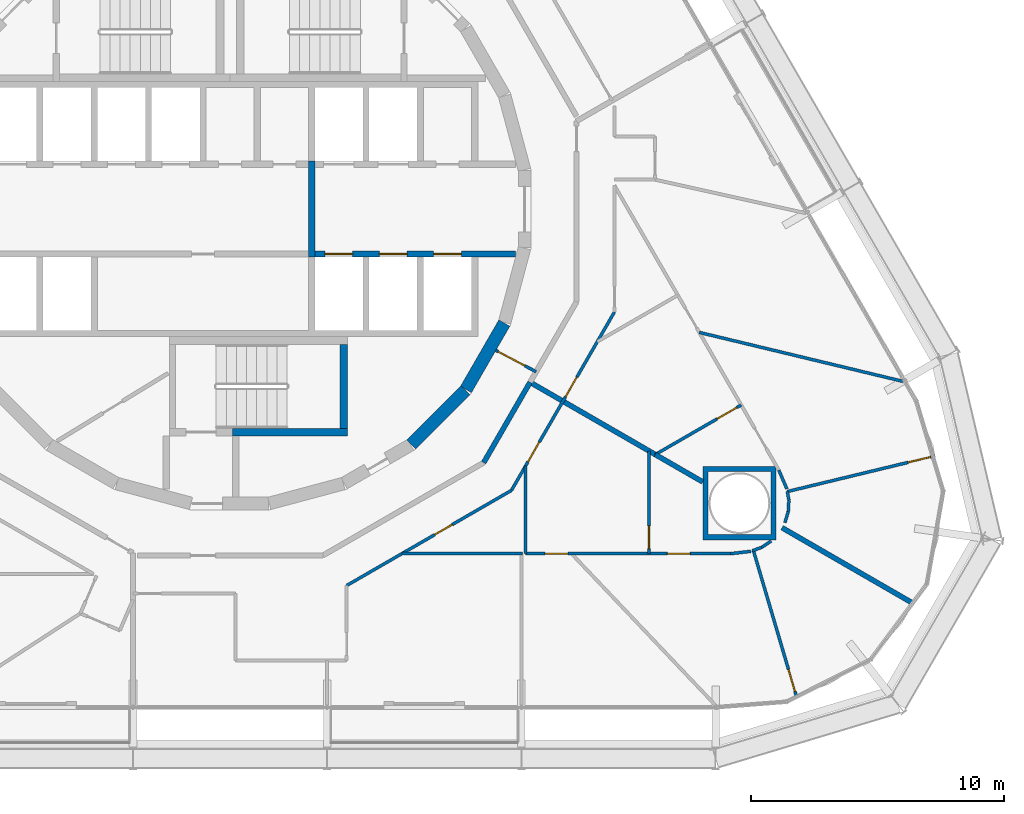
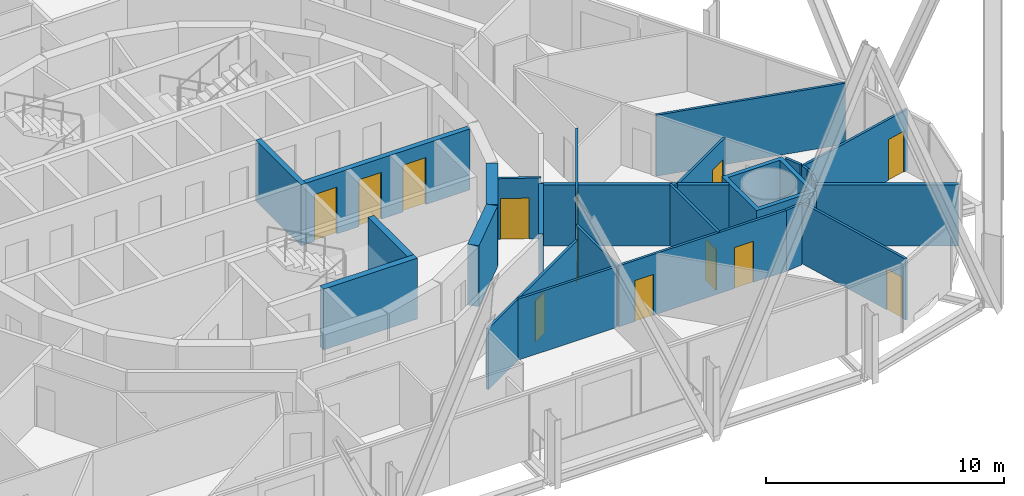
# One storey, part 18 of 22: 29 walls, 13 doors, 13 openings.
"""IFC4 building model written with IfcOpenShell, lengths in metres."""

from ifc_helpers import new_model, si_unit, direction, frame, frame_2d, origin, place, context, subcontext, project, spatial, polyline, rectangle, outline, extrude, material, layer, layer_set, type_object, element, fill, save


model = new_model("IFC4")

# Units and contexts
model_context = context("Model", 3, precision=1e-05, world=origin(), true_north=direction((0.0, 1.0)))
body_context = subcontext(model_context, "Body", "Model", "MODEL_VIEW")
ifc_project = project(units=[si_unit("LENGTHUNIT", "METRE"), si_unit("AREAUNIT", "SQUARE_METRE"), si_unit("VOLUMEUNIT", "CUBIC_METRE"), si_unit("PLANEANGLEUNIT", "RADIAN"), si_unit("MASSUNIT", "GRAM", prefix="KILO")], contexts=[model_context])

# Site, building, storey
site_placement = place(None, origin())
site = spatial("IfcSite", under=ifc_project, at=site_placement, CompositionType="ELEMENT")
building_placement = place(site_placement, origin())
building = spatial("IfcBuilding", under=site, at=building_placement, Name="Spindle Arch Residences", CompositionType="ELEMENT")
storey_placement = place(building_placement, frame((0.0, 0.0, 52.39990234375)))
storey = spatial("IfcBuildingStorey", under=building, at=storey_placement, Name="L11", CompositionType="ELEMENT", Elevation=52.39990234375)

# Walls
ifc_material_1 = material(Name="Concrete C50/60", Category="concrete")
ifc_layer_1 = layer(ifc_material_1, 0.5)
ifc_layer_set_1 = layer_set([ifc_layer_1], Name="Core outline wall 500")
wall_type_1 = type_object("IfcWallType", Name="Core outline wall 500", PredefinedType="SHEAR", material=ifc_layer_set_1)
wall_1_placement = place(storey_placement, frame((7.163818359375, -9.30810546875, 0.0), z_axis=(0.0, 0.0, 1.0), x_axis=(0.707106781187, 0.707106781187, 0.0)))
element("IfcWall", 1, at=wall_1_placement, inside=storey, type_object=wall_type_1, Name="Core outline wall 3", PredefinedType="SHEAR", context=body_context, shape_type="SweptSolid", body=[
    extrude(rectangle(XDim=3.032470703125, YDim=0.5, at=frame_2d((1.51611328125, 0.0))), origin(), (0.0, 0.0, 1.0), 3.1201171875),
])
wall_2_placement = place(storey_placement, frame((9.32861328125, -7.13671875, 0.0), z_axis=(0.0, 0.0, 1.0), x_axis=(0.500087131594, 0.865975092491, 0.0)))
element("IfcWall", 2, at=wall_2_placement, inside=storey, type_object=wall_type_1, Name="Core outline wall 4", PredefinedType="SHEAR", context=body_context, shape_type="SweptSolid", body=[
    extrude(rectangle(XDim=3.03271484375, YDim=0.5, at=frame_2d((1.516357421875, 0.0))), origin(), (0.0, 0.0, 1.0), 3.1201171875),
])

# Wall, opening, door
ifc_material_2 = material(Name="Plasterboard on steel studs", Category="steel")
ifc_layer_2 = layer(ifc_material_2, 0.1201171875)
ifc_layer_set_2 = layer_set([ifc_layer_2], Name="Corridor division wall 120")
wall_type_2 = type_object("IfcWallType", Name="Corridor division wall 120", PredefinedType="PARTITIONING", material=ifc_layer_set_2)
wall_3_placement = place(storey_placement, frame((10.510986328125, -5.5888671875, 0.0), z_axis=(0.0, 0.0, 1.0), x_axis=(0.88294043061, -0.469485032769, 0.0)))
wall_3 = element("IfcWall", 3, at=wall_3_placement, inside=storey, type_object=wall_type_2, Name="Corridor division wall R1B0-W002", PredefinedType="PARTITIONING", context=body_context, shape_type="SweptSolid", body=[
    extrude(rectangle(XDim=1.803955078125, YDim=0.1201171875, at=frame_2d((0.90185546875, 0.0))), origin(), (0.0, 0.0, 1.0), 3.1201171875),
])
opening_1_placement = place(wall_3_placement, frame((0.10009765625, 0.0, 0.0)))
opening_1 = element("IfcOpeningElement", 4, at=opening_1_placement, cuts=wall_3, Name="Opening R1B0-CD02", PredefinedType="OPENING", context=body_context, shape_type="SweptSolid", body=[
    extrude(rectangle(XDim=1.199951171875, YDim=2.10009765625, at=frame_2d((0.60009765625, 1.050048828125))), frame((0.0, 0.070068359375, 0.0), z_axis=(0.0, -1.0, 0.0), x_axis=(1.0, 0.0, 0.0)), (0.0, 0.0, 1.0), 0.14013671875),
])
ifc_material_3 = material(Name="Steel, fire-resisting door", Category="steel")
door_type_1 = type_object("IfcDoorType", Name="Corridor division door 1200x2100", OperationType="NOTDEFINED", PredefinedType="DOOR", material=ifc_material_3)
door_1_placement = place(opening_1_placement, origin())
door_1 = element("IfcDoor", 5, at=door_1_placement, inside=storey, type_object=door_type_1, Name="Corridor division door R1B0-CD02", OperationType="DOUBLE_DOOR_SINGLE_SWING", OverallHeight=2.10009765625, OverallWidth=1.199951171875, PredefinedType="DOOR", context=body_context, shape_type="SweptSolid", body=[
    extrude(rectangle(XDim=1.199951171875, YDim=2.10009765625, at=frame_2d((0.60009765625, 1.050048828125))), frame((0.0, 0.02490234375, 0.0), z_axis=(0.0, -1.0, 0.0), x_axis=(1.0, 0.0, 0.0)), (0.0, 0.0, 1.0), 0.050048828125),
])
fill(opening_1, door_1)

# Walls
ifc_material_4 = material(Name="Calcium silicate block, plastered")
ifc_layer_3 = layer(ifc_material_4, 0.199951171875)
ifc_layer_set_3 = layer_set([ifc_layer_3], Name="Corridor wall 200")
wall_type_3 = type_object("IfcWallType", Name="Corridor wall 200", PredefinedType="STANDARD", material=ifc_layer_set_3)
wall_4_placement = place(storey_placement, frame((10.029052734375, -10.029052734375, 0.0), z_axis=(0.0, 0.0, 1.0), x_axis=(0.50001606911, 0.866016126081, 0.0)))
element("IfcWall", 6, at=wall_4_placement, inside=storey, type_object=wall_type_3, Name="Corridor wall R1B0-W016", PredefinedType="STANDARD", context=body_context, shape_type="SweptSolid", body=[
    extrude(rectangle(XDim=3.6708984375, YDim=0.199951171875, at=frame_2d((1.83544921875, 0.0))), origin(), (0.0, 0.0, 1.0), 3.1201171875),
])
ifc_material_5 = material(Name="Concrete C40/50", Category="concrete")
ifc_layer_4 = layer(ifc_material_5, 0.25)
ifc_layer_set_4 = layer_set([ifc_layer_4], Name="Fire-lift lobby wall 250")
wall_type_4 = type_object("IfcWallType", Name="Fire-lift lobby wall 250", PredefinedType="SHEAR", material=ifc_layer_set_4)
wall_5_placement = place(storey_placement, frame((3.22509765625, -1.89990234375, 0.0), z_axis=(0.0, 0.0, 1.0), x_axis=(0.0, 1.0, 0.0)))
element("IfcWall", 7, at=wall_5_placement, inside=storey, type_object=wall_type_4, Name="Fire-fighting lobby partition", PredefinedType="SHEAR", context=body_context, shape_type="SweptSolid", body=[
    extrude(rectangle(XDim=3.7998046875, YDim=0.25, at=frame_2d((1.89990234375, 0.0))), origin(), (0.0, 0.0, 1.0), 3.1201171875),
])

# Wall, openings, doors
ifc_material_6 = material(Name="Concrete C50/60", Category="concrete")
ifc_layer_5 = layer(ifc_material_6, 0.25)
ifc_layer_set_5 = layer_set([ifc_layer_5], Name="Fire-lift shaft wall 250")
wall_type_5 = type_object("IfcWallType", Name="Fire-lift shaft wall 250", PredefinedType="SHEAR", material=ifc_layer_set_5)
wall_6_placement = place(storey_placement, frame((3.35009765625, -1.77490234375, 0.0), z_axis=(0.0, 0.0, 1.0), x_axis=(1.0, 0.0, 0.0)))
wall_6 = element("IfcWall", 8, at=wall_6_placement, inside=storey, type_object=wall_type_5, Name="Lift shaft front wall SE", PredefinedType="SHEAR", context=body_context, shape_type="SweptSolid", body=[
    extrude(rectangle(XDim=7.929931640625, YDim=0.25, at=frame_2d((3.96484375, 0.0))), origin(), (0.0, 0.0, 1.0), 3.1201171875),
])
opening_2_placement = place(wall_6_placement, frame((0.39990234375, 0.0, 0.0)))
opening_2 = element("IfcOpeningElement", 9, at=opening_2_placement, cuts=wall_6, Name="Opening R1B0-FLD01", PredefinedType="OPENING", context=body_context, shape_type="SweptSolid", body=[
    extrude(rectangle(XDim=1.10009765625, YDim=2.39990234375, at=frame_2d((0.550048828125, 1.199951171875))), frame((0.0, 0.135009765625, 0.0), z_axis=(0.0, -1.0, 0.0), x_axis=(1.0, 0.0, 0.0)), (0.0, 0.0, 1.0), 0.27001953125),
])
opening_3_placement = place(wall_6_placement, frame((2.550048828125, 0.0, 0.0)))
opening_3 = element("IfcOpeningElement", 10, at=opening_3_placement, cuts=wall_6, Name="Opening R1B0-FLD02", PredefinedType="OPENING", context=body_context, shape_type="SweptSolid", body=[
    extrude(rectangle(XDim=1.10009765625, YDim=2.39990234375, at=frame_2d((0.550048828125, 1.199951171875))), frame((0.0, 0.135009765625, 0.0), z_axis=(0.0, -1.0, 0.0), x_axis=(1.0, 0.0, 0.0)), (0.0, 0.0, 1.0), 0.27001953125),
])
opening_4_placement = place(wall_6_placement, frame((4.699951171875, 0.0, 0.0)))
opening_4 = element("IfcOpeningElement", 11, at=opening_4_placement, cuts=wall_6, Name="Opening R1B0-FLD03", PredefinedType="OPENING", context=body_context, shape_type="SweptSolid", body=[
    extrude(rectangle(XDim=1.10009765625, YDim=2.39990234375, at=frame_2d((0.550048828125, 1.199951171875))), frame((0.0, 0.135009765625, 0.0), z_axis=(0.0, -1.0, 0.0), x_axis=(1.0, 0.0, 0.0)), (0.0, 0.0, 1.0), 0.27001953125),
])
ifc_material_7 = material(Name="Steel, fire-resisting landing door", Category="steel")
door_type_2 = type_object("IfcDoorType", Name="Fire-fighting lift landing door 1100x2400", OperationType="DOUBLE_DOOR_SLIDING", PredefinedType="DOOR", material=ifc_material_7)
door_2_placement = place(opening_2_placement, origin())
door_2 = element("IfcDoor", 12, at=door_2_placement, inside=storey, type_object=door_type_2, Name="Fire-fighting lift landing door R1B0-FLD01", OperationType="DOUBLE_DOOR_SLIDING", OverallHeight=2.39990234375, OverallWidth=1.10009765625, PredefinedType="DOOR", context=body_context, shape_type="SweptSolid", body=[
    extrude(rectangle(XDim=1.10009765625, YDim=2.39990234375, at=frame_2d((0.550048828125, 1.199951171875))), frame((0.0, 0.02490234375, 0.0), z_axis=(0.0, -1.0, 0.0), x_axis=(1.0, 0.0, 0.0)), (0.0, 0.0, 1.0), 0.050048828125),
])
fill(opening_2, door_2)
door_3_placement = place(opening_3_placement, origin())
door_3 = element("IfcDoor", 13, at=door_3_placement, inside=storey, type_object=door_type_2, Name="Fire-fighting lift landing door R1B0-FLD02", OperationType="DOUBLE_DOOR_SLIDING", OverallHeight=2.39990234375, OverallWidth=1.10009765625, PredefinedType="DOOR", context=body_context, shape_type="SweptSolid", body=[
    extrude(rectangle(XDim=1.10009765625, YDim=2.39990234375, at=frame_2d((0.550048828125, 1.199951171875))), frame((0.0, 0.02490234375, 0.0), z_axis=(0.0, -1.0, 0.0), x_axis=(1.0, 0.0, 0.0)), (0.0, 0.0, 1.0), 0.050048828125),
])
fill(opening_3, door_3)
door_4_placement = place(opening_4_placement, origin())
door_4 = element("IfcDoor", 14, at=door_4_placement, inside=storey, type_object=door_type_2, Name="Fire-fighting lift landing door R1B0-FLD03", OperationType="DOUBLE_DOOR_SLIDING", OverallHeight=2.39990234375, OverallWidth=1.10009765625, PredefinedType="DOOR", context=body_context, shape_type="SweptSolid", body=[
    extrude(rectangle(XDim=1.10009765625, YDim=2.39990234375, at=frame_2d((0.550048828125, 1.199951171875))), frame((0.0, 0.02490234375, 0.0), z_axis=(0.0, -1.0, 0.0), x_axis=(1.0, 0.0, 0.0)), (0.0, 0.0, 1.0), 0.050048828125),
])
fill(opening_4, door_4)

# Wall, opening, door
ifc_material_8 = material(Name="Plasterboard on steel studs", Category="steel")
ifc_layer_6 = layer(ifc_material_8, 0.1201171875)
ifc_layer_set_6 = layer_set([ifc_layer_6], Name="Flat partition 120")
wall_type_6 = type_object("IfcWallType", Name="Flat partition 120", PredefinedType="PARTITIONING", material=ifc_layer_set_6)
wall_7_placement = place(storey_placement, frame((4.612548828125, -14.888427734375, 0.0), z_axis=(0.0, 0.0, 1.0), x_axis=(0.866025608725, 0.499999645032, 0.0)))
wall_7 = element("IfcWall", 15, at=wall_7_placement, inside=storey, type_object=wall_type_6, Name="Flat partition R1B0-W098", PredefinedType="PARTITIONING", context=body_context, shape_type="SweptSolid", body=[
    extrude(rectangle(XDim=7.5224609375, YDim=0.1201171875, at=frame_2d((3.76123046875, 0.0))), origin(), (0.0, 0.0, 1.0), 3.1201171875),
])
opening_5_placement = place(wall_7_placement, frame((4.01708984375, 0.0, 0.0)))
opening_5 = element("IfcOpeningElement", 16, at=opening_5_placement, cuts=wall_7, Name="Opening R1B0-BD05", PredefinedType="OPENING", context=body_context, shape_type="SweptSolid", body=[
    extrude(rectangle(XDim=0.800048828125, YDim=2.10009765625, at=frame_2d((0.39990234375, 1.050048828125))), frame((0.0, 0.070068359375, 0.0), z_axis=(0.0, -1.0, 0.0), x_axis=(1.0, 0.0, 0.0)), (0.0, 0.0, 1.0), 0.14013671875),
])
ifc_material_9 = material(Name="Timber door set", Category="wood")
door_type_3 = type_object("IfcDoorType", Name="Bathroom door 800x2100", OperationType="NOTDEFINED", PredefinedType="DOOR", material=ifc_material_9)
door_5_placement = place(opening_5_placement, origin())
door_5 = element("IfcDoor", 17, at=door_5_placement, inside=storey, type_object=door_type_3, Name="Bathroom door R1B0-BD05", OperationType="SINGLE_SWING_RIGHT", OverallHeight=2.10009765625, OverallWidth=0.800048828125, PredefinedType="DOOR", context=body_context, shape_type="SweptSolid", body=[
    extrude(rectangle(XDim=0.800048828125, YDim=2.10009765625, at=frame_2d((0.39990234375, 1.050048828125))), frame((0.0, 0.02490234375, 0.0), z_axis=(0.0, -1.0, 0.0), x_axis=(1.0, 0.0, 0.0)), (0.0, 0.0, 1.0), 0.050048828125),
])
fill(opening_5, door_5)

# Wall, openings, doors
wall_8_placement = place(storey_placement, frame((11.127197265625, -11.127197265625, 0.0), z_axis=(0.0, 0.0, 1.0), x_axis=(0.499987950692, 0.866032360344, 0.0)))
wall_8 = element("IfcWall", 18, at=wall_8_placement, inside=storey, type_object=wall_type_6, Name="Flat partition R1B0-W099", PredefinedType="PARTITIONING", context=body_context, shape_type="SweptSolid", body=[
    extrude(rectangle(XDim=8.145751953125, YDim=0.1201171875, at=frame_2d((4.07275390625, 0.0))), origin(), (0.0, 0.0, 1.0), 3.1201171875),
])
opening_6_placement = place(wall_8_placement, frame((1.302734375, 0.0, 0.0)))
opening_6 = element("IfcOpeningElement", 19, at=opening_6_placement, cuts=wall_8, Name="Opening R1B0-ID26", PredefinedType="OPENING", context=body_context, shape_type="SweptSolid", body=[
    extrude(rectangle(XDim=0.89990234375, YDim=2.10009765625, at=frame_2d((0.449951171875, 1.050048828125))), frame((0.0, 0.070068359375, 0.0), z_axis=(0.0, -1.0, 0.0), x_axis=(1.0, 0.0, 0.0)), (0.0, 0.0, 1.0), 0.14013671875),
])
opening_7_placement = place(wall_8_placement, frame((4.272705078125, 0.0, 0.0)))
opening_7 = element("IfcOpeningElement", 20, at=opening_7_placement, cuts=wall_8, Name="Opening R1B0-ID32", PredefinedType="OPENING", context=body_context, shape_type="SweptSolid", body=[
    extrude(rectangle(XDim=0.89990234375, YDim=2.10009765625, at=frame_2d((0.449951171875, 1.050048828125))), frame((0.0, 0.070068359375, 0.0), z_axis=(0.0, -1.0, 0.0), x_axis=(1.0, 0.0, 0.0)), (0.0, 0.0, 1.0), 0.14013671875),
])
ifc_material_10 = material(Name="Timber door set", Category="wood")
door_type_4 = type_object("IfcDoorType", Name="Room door 900x2100", OperationType="NOTDEFINED", PredefinedType="DOOR", material=ifc_material_10)
door_6_placement = place(opening_6_placement, origin())
door_6 = element("IfcDoor", 21, at=door_6_placement, inside=storey, type_object=door_type_4, Name="Room door R1B0-ID26", OperationType="SINGLE_SWING_RIGHT", OverallHeight=2.10009765625, OverallWidth=0.89990234375, PredefinedType="DOOR", context=body_context, shape_type="SweptSolid", body=[
    extrude(rectangle(XDim=0.89990234375, YDim=2.10009765625, at=frame_2d((0.449951171875, 1.050048828125))), frame((0.0, 0.02490234375, 0.0), z_axis=(0.0, -1.0, 0.0), x_axis=(1.0, 0.0, 0.0)), (0.0, 0.0, 1.0), 0.050048828125),
])
fill(opening_6, door_6)
door_7_placement = place(opening_7_placement, origin())
door_7 = element("IfcDoor", 22, at=door_7_placement, inside=storey, type_object=door_type_4, Name="Room door R1B0-ID32", OperationType="SINGLE_SWING_LEFT", OverallHeight=2.10009765625, OverallWidth=0.89990234375, PredefinedType="DOOR", context=body_context, shape_type="SweptSolid", body=[
    extrude(rectangle(XDim=0.89990234375, YDim=2.10009765625, at=frame_2d((0.449951171875, 1.050048828125))), frame((0.0, 0.02490234375, 0.0), z_axis=(0.0, -1.0, 0.0), x_axis=(1.0, 0.0, 0.0)), (0.0, 0.0, 1.0), 0.050048828125),
])
fill(opening_7, door_7)

# Walls
wall_9_placement = place(storey_placement, frame((11.56005859375, -13.6298828125, 0.0), z_axis=(0.0, 0.0, 1.0), x_axis=(-1.0, 0.0, 0.0)))
element("IfcWall", 23, at=wall_9_placement, inside=storey, type_object=wall_type_6, Name="Flat partition R1B0-W101", PredefinedType="PARTITIONING", context=body_context, shape_type="SweptSolid", body=[
    extrude(rectangle(XDim=4.767822265625, YDim=0.1201171875, at=frame_2d((2.3837890625, 0.0))), origin(), (0.0, 0.0, 1.0), 3.1201171875),
])
wall_10_placement = place(storey_placement, frame((11.678466796875, -13.6298828125, 0.0), z_axis=(0.0, 0.0, 1.0), x_axis=(0.0, 1.0, 0.0)))
element("IfcWall", 24, at=wall_10_placement, inside=storey, type_object=wall_type_6, Name="Flat partition R1B0-W103", PredefinedType="PARTITIONING", context=body_context, shape_type="SweptSolid", body=[
    extrude(rectangle(XDim=3.457763671875, YDim=0.1201171875, at=frame_2d((1.72900390625, 0.0))), origin(), (0.0, 0.0, 1.0), 3.1201171875),
])

# Wall, openings, doors
wall_11_placement = place(storey_placement, frame((19.794189453125, -13.6298828125, 0.0), z_axis=(0.0, 0.0, 1.0), x_axis=(-1.0, 0.0, 0.0)))
wall_11 = element("IfcWall", 25, at=wall_11_placement, inside=storey, type_object=wall_type_6, Name="Flat partition R1B0-W105", PredefinedType="PARTITIONING", context=body_context, shape_type="SweptSolid", body=[
    extrude(rectangle(XDim=8.11572265625, YDim=0.1201171875, at=frame_2d((4.057861328125, 0.0))), origin(), (0.0, 0.0, 1.0), 3.1201171875),
])
opening_8_placement = place(wall_11_placement, frame((6.435546875, 0.0, 0.0)))
opening_8 = element("IfcOpeningElement", 26, at=opening_8_placement, cuts=wall_11, Name="Opening R1B0-ID27", PredefinedType="OPENING", context=body_context, shape_type="SweptSolid", body=[
    extrude(rectangle(XDim=0.89990234375, YDim=2.10009765625, at=frame_2d((0.449951171875, 1.050048828125))), frame((0.0, 0.070068359375, 0.0), z_axis=(0.0, -1.0, 0.0), x_axis=(1.0, 0.0, 0.0)), (0.0, 0.0, 1.0), 0.14013671875),
])
opening_9_placement = place(wall_11_placement, frame((1.60009765625, 0.0, 0.0)))
opening_9 = element("IfcOpeningElement", 27, at=opening_9_placement, cuts=wall_11, Name="Opening R1B0-ID29", PredefinedType="OPENING", context=body_context, shape_type="SweptSolid", body=[
    extrude(rectangle(XDim=0.89990234375, YDim=2.10009765625, at=frame_2d((0.449951171875, 1.050048828125))), frame((0.0, 0.070068359375, 0.0), z_axis=(0.0, -1.0, 0.0), x_axis=(1.0, 0.0, 0.0)), (0.0, 0.0, 1.0), 0.14013671875),
])
door_8_placement = place(opening_8_placement, origin())
door_8 = element("IfcDoor", 28, at=door_8_placement, inside=storey, type_object=door_type_4, Name="Room door R1B0-ID27", OperationType="SINGLE_SWING_RIGHT", OverallHeight=2.10009765625, OverallWidth=0.89990234375, PredefinedType="DOOR", context=body_context, shape_type="SweptSolid", body=[
    extrude(rectangle(XDim=0.89990234375, YDim=2.10009765625, at=frame_2d((0.449951171875, 1.050048828125))), frame((0.0, 0.02490234375, 0.0), z_axis=(0.0, -1.0, 0.0), x_axis=(1.0, 0.0, 0.0)), (0.0, 0.0, 1.0), 0.050048828125),
])
fill(opening_8, door_8)
door_9_placement = place(opening_9_placement, origin())
door_9 = element("IfcDoor", 29, at=door_9_placement, inside=storey, type_object=door_type_4, Name="Room door R1B0-ID29", OperationType="SINGLE_SWING_RIGHT", OverallHeight=2.10009765625, OverallWidth=0.89990234375, PredefinedType="DOOR", context=body_context, shape_type="SweptSolid", body=[
    extrude(rectangle(XDim=0.89990234375, YDim=2.10009765625, at=frame_2d((0.449951171875, 1.050048828125))), frame((0.0, 0.02490234375, 0.0), z_axis=(0.0, -1.0, 0.0), x_axis=(1.0, 0.0, 0.0)), (0.0, 0.0, 1.0), 0.050048828125),
])
fill(opening_9, door_9)

# Wall, opening, door
wall_12_placement = place(storey_placement, frame((22.395751953125, -19.26611328125, 0.0), z_axis=(0.0, 0.0, 1.0), x_axis=(-0.282896205585, 0.959150528783, 0.0)))
wall_12 = element("IfcWall", 30, at=wall_12_placement, inside=storey, type_object=wall_type_6, Name="Flat partition R1B0-W106", PredefinedType="PARTITIONING", context=body_context, shape_type="SweptSolid", body=[
    extrude(rectangle(XDim=6.01171875, YDim=0.1201171875, at=frame_2d((3.005859375, 0.0))), origin(), (0.0, 0.0, 1.0), 3.1201171875),
])
opening_10_placement = place(wall_12_placement, frame((0.199951171875, 0.0, 0.0)))
opening_10 = element("IfcOpeningElement", 31, at=opening_10_placement, cuts=wall_12, Name="Opening R1B0-ID30", PredefinedType="OPENING", context=body_context, shape_type="SweptSolid", body=[
    extrude(rectangle(XDim=0.89990234375, YDim=2.10009765625, at=frame_2d((0.449951171875, 1.050048828125))), frame((0.0, 0.070068359375, 0.0), z_axis=(0.0, -1.0, 0.0), x_axis=(1.0, 0.0, 0.0)), (0.0, 0.0, 1.0), 0.14013671875),
])
door_10_placement = place(opening_10_placement, origin())
door_10 = element("IfcDoor", 32, at=door_10_placement, inside=storey, type_object=door_type_4, Name="Room door R1B0-ID30", OperationType="SINGLE_SWING_RIGHT", OverallHeight=2.10009765625, OverallWidth=0.89990234375, PredefinedType="DOOR", context=body_context, shape_type="SweptSolid", body=[
    extrude(rectangle(XDim=0.89990234375, YDim=2.10009765625, at=frame_2d((0.449951171875, 1.050048828125))), frame((0.0, 0.02490234375, 0.0), z_axis=(0.0, -1.0, 0.0), x_axis=(1.0, 0.0, 0.0)), (0.0, 0.0, 1.0), 0.050048828125),
])
fill(opening_10, door_10)

# Wall
wall_13_placement = place(storey_placement, frame((20.595458984375, -13.536376953125, 0.0), z_axis=(0.0, 0.0, 1.0), x_axis=(-0.993259655268, -0.115910556968, 0.0)))
element("IfcWall", 33, at=wall_13_placement, inside=storey, type_object=wall_type_6, Name="Flat partition R1B0-W107", PredefinedType="PARTITIONING", context=body_context, shape_type="SweptSolid", body=[
    extrude(rectangle(XDim=0.806640625, YDim=0.1201171875, at=frame_2d((0.4033203125, 0.0))), origin(), (0.0, 0.0, 1.0), 3.1201171875),
])

# Wall, opening, door
wall_14_placement = place(storey_placement, frame((16.564697265625, -13.6298828125, 0.0), z_axis=(0.0, 0.0, 1.0), x_axis=(0.0, 1.0, 0.0)))
wall_14 = element("IfcWall", 34, at=wall_14_placement, inside=storey, type_object=wall_type_6, Name="Flat partition R1B0-W108", PredefinedType="PARTITIONING", context=body_context, shape_type="SweptSolid", body=[
    extrude(rectangle(XDim=4.066162109375, YDim=0.1201171875, at=frame_2d((2.033203125, 0.0))), origin(), (0.0, 0.0, 1.0), 3.1201171875),
])
opening_11_placement = place(wall_14_placement, frame((0.199951171875, 0.0, 0.0)))
opening_11 = element("IfcOpeningElement", 35, at=opening_11_placement, cuts=wall_14, Name="Opening R1B0-ID28", PredefinedType="OPENING", context=body_context, shape_type="SweptSolid", body=[
    extrude(rectangle(XDim=0.89990234375, YDim=2.10009765625, at=frame_2d((0.449951171875, 1.050048828125))), frame((0.0, 0.070068359375, 0.0), z_axis=(0.0, -1.0, 0.0), x_axis=(1.0, 0.0, 0.0)), (0.0, 0.0, 1.0), 0.14013671875),
])
door_11_placement = place(opening_11_placement, origin())
door_11 = element("IfcDoor", 36, at=door_11_placement, inside=storey, type_object=door_type_4, Name="Room door R1B0-ID28", OperationType="SINGLE_SWING_RIGHT", OverallHeight=2.10009765625, OverallWidth=0.89990234375, PredefinedType="DOOR", context=body_context, shape_type="SweptSolid", body=[
    extrude(rectangle(XDim=0.89990234375, YDim=2.10009765625, at=frame_2d((0.449951171875, 1.050048828125))), frame((0.0, 0.02490234375, 0.0), z_axis=(0.0, -1.0, 0.0), x_axis=(1.0, 0.0, 0.0)), (0.0, 0.0, 1.0), 0.050048828125),
])
fill(opening_11, door_11)

# Walls
wall_15_placement = place(storey_placement, frame((21.40283203125, -13.130615234375, 0.0), z_axis=(0.0, 0.0, 1.0), x_axis=(-0.835339231854, -0.549734815821, 0.0)))
element("IfcWall", 37, at=wall_15_placement, inside=storey, type_object=wall_type_6, Name="Flat partition R1B0-W109", PredefinedType="PARTITIONING", context=body_context, shape_type="SweptSolid", body=[
    extrude(rectangle(XDim=0.454833984375, YDim=0.1201171875, at=frame_2d((0.2275390625, 0.0))), origin(), (0.0, 0.0, 1.0), 3.1201171875),
])
wall_16_placement = place(storey_placement, frame((21.02294921875, -13.380615234375, 0.0), z_axis=(0.0, 0.0, 1.0), x_axis=(-0.939665068469, -0.34209583321, 0.0)))
element("IfcWall", 38, at=wall_16_placement, inside=storey, type_object=wall_type_6, Name="Flat partition R1B0-W110", PredefinedType="PARTITIONING", context=body_context, shape_type="SweptSolid", body=[
    extrude(rectangle(XDim=0.388916015625, YDim=0.1201171875, at=frame_2d((0.1943359375, 0.0))), origin(), (0.0, 0.0, 1.0), 3.1201171875),
])
wall_17_placement = place(storey_placement, frame((21.9423828125, -12.40576171875, 0.0), z_axis=(0.0, 0.0, 1.0), x_axis=(0.287101711529, 0.957900102953, 0.0)))
element("IfcWall", 39, at=wall_17_placement, inside=storey, type_object=wall_type_6, Name="Flat partition R1B0-W117", PredefinedType="PARTITIONING", context=body_context, shape_type="SweptSolid", body=[
    extrude(rectangle(XDim=0.454833984375, YDim=0.1201171875, at=frame_2d((0.2275390625, 0.0))), origin(), (0.0, 0.0, 1.0), 3.1201171875),
])
wall_18_placement = place(storey_placement, frame((22.072998046875, -11.969970703125, 0.0), z_axis=(0.0, 0.0, 1.0), x_axis=(0.058533144572, 0.998285465679, 0.0)))
element("IfcWall", 40, at=wall_18_placement, inside=storey, type_object=wall_type_6, Name="Flat partition R1B0-W118", PredefinedType="PARTITIONING", context=body_context, shape_type="SweptSolid", body=[
    extrude(rectangle(XDim=0.45458984375, YDim=0.1201171875, at=frame_2d((0.227294921875, 0.0))), origin(), (0.0, 0.0, 1.0), 3.1201171875),
])
wall_19_placement = place(storey_placement, frame((22.099609375, -11.51611328125, 0.0), z_axis=(0.0, 0.0, 1.0), x_axis=(-0.174264410128, 0.984698895786, 0.0)))
element("IfcWall", 41, at=wall_19_placement, inside=storey, type_object=wall_type_6, Name="Flat partition R1B0-W119", PredefinedType="PARTITIONING", context=body_context, shape_type="SweptSolid", body=[
    extrude(rectangle(XDim=0.348876953125, YDim=0.1201171875, at=frame_2d((0.17431640625, 0.0))), origin(), (0.0, 0.0, 1.0), 3.1201171875),
])

# Wall, opening, door
wall_20_placement = place(storey_placement, frame((20.212158203125, -7.748779296875, 0.0), z_axis=(0.0, 0.0, 1.0), x_axis=(-0.86604663799, -0.499963219473, 0.0)))
wall_20 = element("IfcWall", 42, at=wall_20_placement, inside=storey, type_object=wall_type_6, Name="Flat partition R1B0-W120", PredefinedType="PARTITIONING", context=body_context, shape_type="SweptSolid", body=[
    extrude(rectangle(XDim=3.920654296875, YDim=0.1201171875, at=frame_2d((1.96044921875, 0.0))), origin(), (0.0, 0.0, 1.0), 3.1201171875),
])
opening_12_placement = place(wall_20_placement, frame((0.199951171875, 0.0, 0.0)))
opening_12 = element("IfcOpeningElement", 43, at=opening_12_placement, cuts=wall_20, Name="Opening R1B0-ID34", PredefinedType="OPENING", context=body_context, shape_type="SweptSolid", body=[
    extrude(rectangle(XDim=0.89990234375, YDim=2.10009765625, at=frame_2d((0.449951171875, 1.050048828125))), frame((0.0, 0.070068359375, 0.0), z_axis=(0.0, -1.0, 0.0), x_axis=(1.0, 0.0, 0.0)), (0.0, 0.0, 1.0), 0.14013671875),
])
door_12_placement = place(opening_12_placement, origin())
door_12 = element("IfcDoor", 44, at=door_12_placement, inside=storey, type_object=door_type_4, Name="Room door R1B0-ID34", OperationType="SINGLE_SWING_LEFT", OverallHeight=2.10009765625, OverallWidth=0.89990234375, PredefinedType="DOOR", context=body_context, shape_type="SweptSolid", body=[
    extrude(rectangle(XDim=0.89990234375, YDim=2.10009765625, at=frame_2d((0.449951171875, 1.050048828125))), frame((0.0, 0.02490234375, 0.0), z_axis=(0.0, -1.0, 0.0), x_axis=(1.0, 0.0, 0.0)), (0.0, 0.0, 1.0), 0.050048828125),
])
fill(opening_12, door_12)

# Wall
wall_21_placement = place(storey_placement, frame((22.0205078125, -11.068115234375, 0.0), z_axis=(0.0, 0.0, 1.0), x_axis=(-0.396036092975, 0.918234944369, 0.0)))
element("IfcWall", 45, at=wall_21_placement, inside=storey, type_object=wall_type_6, Name="Flat partition R1B0-W121", PredefinedType="PARTITIONING", context=body_context, shape_type="SweptSolid", body=[
    extrude(rectangle(XDim=0.806884765625, YDim=0.1201171875, at=frame_2d((0.4033203125, 0.0))), origin(), (0.0, 0.0, 1.0), 3.1201171875),
])

# Wall, opening, door
wall_22_placement = place(storey_placement, frame((27.8828125, -9.76220703125, 0.0), z_axis=(0.0, 0.0, 1.0), x_axis=(-0.972090512558, -0.234606128213, 0.0)))
wall_22 = element("IfcWall", 46, at=wall_22_placement, inside=storey, type_object=wall_type_6, Name="Flat partition R1B0-W123", PredefinedType="PARTITIONING", context=body_context, shape_type="SweptSolid", body=[
    extrude(rectangle(XDim=6.01171875, YDim=0.1201171875, at=frame_2d((3.005859375, 0.0))), origin(), (0.0, 0.0, 1.0), 3.1201171875),
])
opening_13_placement = place(wall_22_placement, frame((0.199951171875, 0.0, 0.0)))
opening_13 = element("IfcOpeningElement", 47, at=opening_13_placement, cuts=wall_22, Name="Opening R1B0-ID36", PredefinedType="OPENING", context=body_context, shape_type="SweptSolid", body=[
    extrude(rectangle(XDim=0.89990234375, YDim=2.10009765625, at=frame_2d((0.449951171875, 1.050048828125))), frame((0.0, 0.070068359375, 0.0), z_axis=(0.0, -1.0, 0.0), x_axis=(1.0, 0.0, 0.0)), (0.0, 0.0, 1.0), 0.14013671875),
])
door_13_placement = place(opening_13_placement, origin())
door_13 = element("IfcDoor", 48, at=door_13_placement, inside=storey, type_object=door_type_4, Name="Room door R1B0-ID36", OperationType="SINGLE_SWING_LEFT", OverallHeight=2.10009765625, OverallWidth=0.89990234375, PredefinedType="DOOR", context=body_context, shape_type="SweptSolid", body=[
    extrude(rectangle(XDim=0.89990234375, YDim=2.10009765625, at=frame_2d((0.449951171875, 1.050048828125))), frame((0.0, 0.02490234375, 0.0), z_axis=(0.0, -1.0, 0.0), x_axis=(1.0, 0.0, 0.0)), (0.0, 0.0, 1.0), 0.050048828125),
])
fill(opening_13, door_13)

# Walls
wall_23_placement = place(storey_placement, frame((26.60009765625, -6.81298828125, 0.0), z_axis=(0.0, 0.0, 1.0), x_axis=(-0.972306888212, 0.233707755831, 0.0)))
element("IfcWall", 49, at=wall_23_placement, inside=storey, type_object=wall_type_6, Name="Flat partition R1B0-W125", PredefinedType="PARTITIONING", context=body_context, shape_type="SweptSolid", body=[
    extrude(rectangle(XDim=8.2734375, YDim=0.1201171875, at=frame_2d((4.13671875, 0.0))), origin(), (0.0, 0.0, 1.0), 3.1201171875),
])
ifc_material_11 = material(Name="Calcium silicate block, plastered")
ifc_layer_7 = layer(ifc_material_11, 0.199951171875)
ifc_layer_set_7 = layer_set([ifc_layer_7], Name="Flat party wall 200")
wall_type_7 = type_object("IfcWallType", Name="Flat party wall 200", PredefinedType="STANDARD", material=ifc_layer_set_7)
wall_24_placement = place(storey_placement, frame((16.816650390625, -9.708984375, 0.0), z_axis=(0.0, 0.0, 1.0), x_axis=(-0.86604338933, 0.499968846828, 0.0)))
element("IfcWall", 50, at=wall_24_placement, inside=storey, type_object=wall_type_7, Name="Flat party wall R1B0-W026", PredefinedType="STANDARD", context=body_context, shape_type="SweptSolid", body=[
    extrude(rectangle(XDim=5.718017578125, YDim=0.199951171875, at=frame_2d((2.85888671875, 0.0))), origin(), (0.0, 0.0, 1.0), 3.1201171875),
])
wall_25_placement = place(storey_placement, frame((27.02490234375, -15.602783203125, 0.0), z_axis=(0.0, 0.0, 1.0), x_axis=(-0.866020924479, 0.500007758305, 0.0)))
element("IfcWall", 51, at=wall_25_placement, inside=storey, type_object=wall_type_7, Name="Flat party wall R1B0-W027", PredefinedType="STANDARD", context=body_context, shape_type="SweptSolid", body=[
    extrude(rectangle(XDim=6.0, YDim=0.199951171875, at=frame_2d((3.0, 0.0))), origin(), (0.0, 0.0, 1.0), 3.1201171875),
])
wall_26_placement = place(storey_placement, frame((18.693603515625, -10.792724609375, 0.0), z_axis=(0.0, 0.0, 1.0), x_axis=(-0.866009251978, 0.500027974705, 0.0)))
element("IfcWall", 52, at=wall_26_placement, inside=storey, type_object=wall_type_7, Name="Flat party wall R1B0-W028", PredefinedType="STANDARD", context=body_context, shape_type="SweptSolid", body=[
    extrude(rectangle(XDim=2.16748046875, YDim=0.199951171875, at=frame_2d((1.083740234375, 0.0))), origin(), (0.0, 0.0, 1.0), 3.1201171875),
])
ifc_material_12 = material(Name="Calcium silicate block, plastered")
ifc_layer_8 = layer(ifc_material_12, 0.199951171875)
ifc_layer_set_8 = layer_set([ifc_layer_8], Name="Mega-column casing wall 200")
wall_type_8 = type_object("IfcWallType", Name="Mega-column casing wall 200", PredefinedType="STANDARD", material=ifc_layer_set_8)
wall_27_placement = place(storey_placement, origin())
element("IfcWall", 53, at=wall_27_placement, inside=storey, type_object=wall_type_8, Name="Mega-column casing wall R1B0-WC03", PredefinedType="STANDARD", context=body_context, shape_type="SweptSolid", body=[
    extrude(outline(polyline([(21.593505859375, -10.179931640625), (21.593505859375, -13.079833984375), (18.693603515625, -13.079833984375), (18.693603515625, -10.179931640625), (21.593505859375, -10.179931640625)]), holes=[polyline([(18.8935546875, -12.8798828125), (21.3935546875, -12.8798828125), (21.3935546875, -10.3798828125), (18.8935546875, -10.3798828125), (18.8935546875, -12.8798828125)])]), origin(), (0.0, 0.0, 1.0), 3.1201171875),
])
ifc_material_13 = material(Name="Concrete C50/60", Category="concrete")
ifc_layer_9 = layer(ifc_material_13, 0.300048828125)
ifc_layer_set_9 = layer_set([ifc_layer_9], Name="Stair enclosure wall 300")
wall_type_9 = type_object("IfcWallType", Name="Stair enclosure wall 300", PredefinedType="SHEAR", material=ifc_layer_set_9)
wall_28_placement = place(storey_placement, frame((4.5, -8.669921875, 0.0), z_axis=(0.0, 0.0, 1.0), x_axis=(0.0, 1.0, 0.0)))
element("IfcWall", 54, at=wall_28_placement, inside=storey, type_object=wall_type_9, Name="Stair ST-3 enclosure wall E", PredefinedType="SHEAR", context=body_context, shape_type="SweptSolid", body=[
    extrude(rectangle(XDim=3.31982421875, YDim=0.300048828125, at=frame_2d((1.659912109375, 0.0))), origin(), (0.0, 0.0, 1.0), 3.1201171875),
])
wall_29_placement = place(storey_placement, frame((0.10009765625, -8.820068359375, 0.0), z_axis=(0.0, 0.0, 1.0), x_axis=(1.0, 0.0, 0.0)))
element("IfcWall", 55, at=wall_29_placement, inside=storey, type_object=wall_type_9, Name="Stair ST-3 enclosure wall S", PredefinedType="SHEAR", context=body_context, shape_type="SweptSolid", body=[
    extrude(rectangle(XDim=4.5498046875, YDim=0.300048828125, at=frame_2d((2.27490234375, 0.0))), origin(), (0.0, 0.0, 1.0), 3.1201171875),
])

save(model, "model.ifc")
